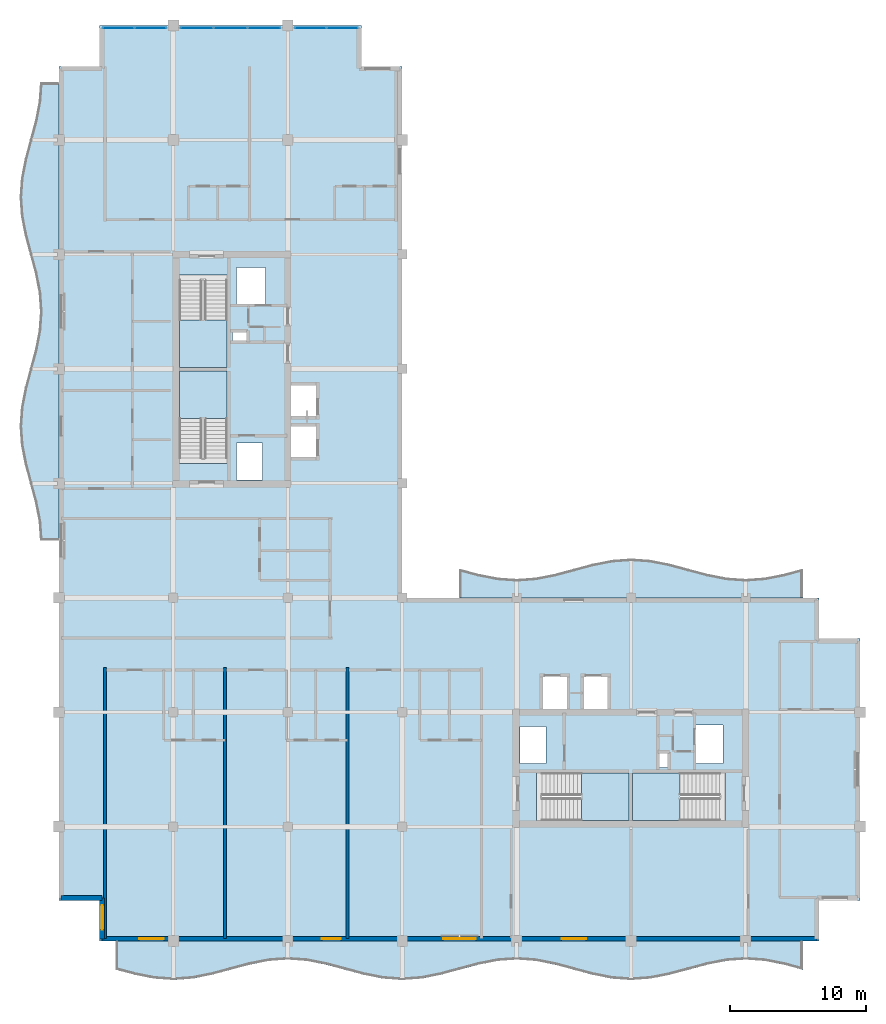
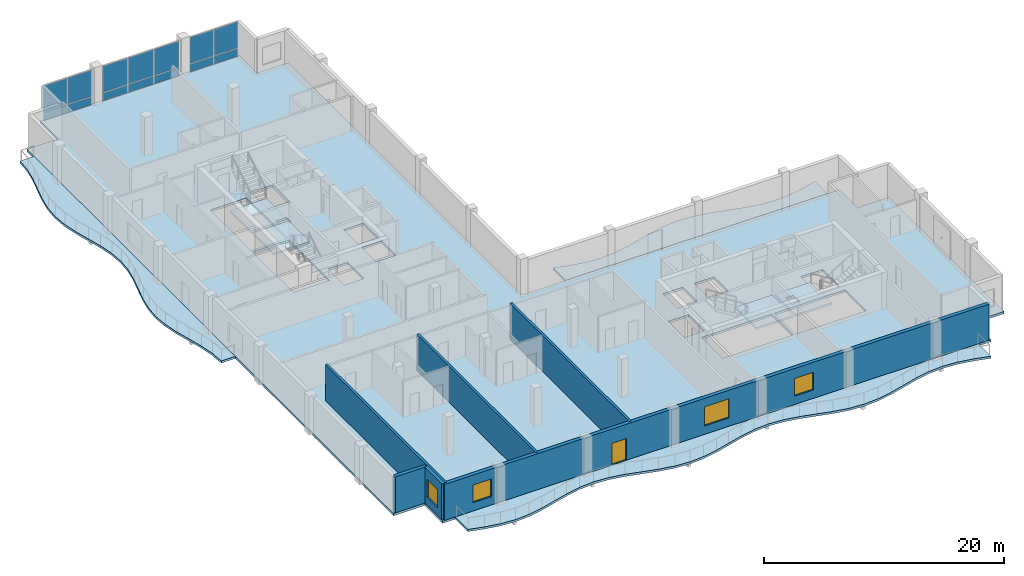
# One storey, part 5 of 15: 14 plates, 8 slabs, 6 walls, 4 windows, 1 door, 5 openings, 7 elements without a shape of their own.
"""IFC4 building model written with IfcOpenShell, lengths in metres."""

from ifc_helpers import new_model, si_unit, direction, frame, frame_2d, origin, origin_2d, place, context, subcontext, project, spatial, polyline, rectangle, outline, extrude, material, layer, layer_set, type_object, element, fill, aggregate, save


model = new_model("IFC4")

# Units and contexts
model_context = context("Model", 3, precision=1e-05, world=origin(), true_north=direction((0.0, 1.0)))
body_context = subcontext(model_context, "Body", "Model", "MODEL_VIEW")
ifc_project = project(units=[si_unit("LENGTHUNIT", "METRE"), si_unit("AREAUNIT", "SQUARE_METRE"), si_unit("VOLUMEUNIT", "CUBIC_METRE"), si_unit("PLANEANGLEUNIT", "RADIAN"), si_unit("MASSUNIT", "GRAM", prefix="KILO")], contexts=[model_context])

# Site, building, storey
site_placement = place(None, origin())
site = spatial("IfcSite", under=ifc_project, at=site_placement, CompositionType="ELEMENT")
building_placement = place(site_placement, origin())
building = spatial("IfcBuilding", under=site, at=building_placement, Name="Koriwani Terraces Tower", CompositionType="ELEMENT")
storey_placement = place(building_placement, frame((0.0, 0.0, 300.800048828125)))
storey = spatial("IfcBuildingStorey", under=building, at=storey_placement, Name="L74", CompositionType="ELEMENT", Elevation=300.800048828125)

# Curtain wall, plates
ifc_material_1 = material(Name="Anodised Bronze Aluminium", Category="aluminium")
ifc_layer_1 = layer(ifc_material_1, 0.18994140625, Name="Anodised Bronze Aluminium")
ifc_layer_set_1 = layer_set([ifc_layer_1], Name="Anodised Bronze Aluminium")
curtain_wall_type = type_object("IfcCurtainWallType", Name="CW_PENTHOUSE_ZONE5", PredefinedType="NOTDEFINED", material=ifc_layer_set_1)
curtain_wall_1_placement = place(storey_placement, origin())
curtain_wall_1 = element("IfcCurtainWall", 1, at=curtain_wall_1_placement, inside=storey, type_object=curtain_wall_type, Name="L74 Unitised Curtain Wall (N_TIP) Bay 1", PredefinedType="NOTDEFINED")
ifc_material_2 = material(Name="Tempered Laminated Low-E Glass", Category="glass")
ifc_layer_2 = layer(ifc_material_2, 0.028076171875, Name="Tempered Laminated Low-E Glass")
ifc_layer_set_2 = layer_set([ifc_layer_2], Name="Tempered Laminated Low-E Glass")
plate_type = type_object("IfcPlateType", Name="CW_PANEL_VISION_28", PredefinedType="CURTAIN_PANEL", material=ifc_layer_set_2)
plate_1_placement = place(storey_placement, frame((12.784912109375, 75.425048828125, 0.06494140625), z_axis=(0.0, 0.0, 1.0), x_axis=(1.0, 0.0, 0.0)))
plate_1 = element("IfcPlate", 2, at=plate_1_placement, type_object=plate_type, Name="CW-Z5 panel 1.1", PredefinedType="CURTAIN_PANEL", context=body_context, shape_type="SweptSolid", body=[
    extrude(rectangle(XDim=2.27001953125, YDim=0.028076171875, at=origin_2d()), origin(), (0.0, 0.0, 1.0), 0.802490234375),
])
plate_2_placement = place(storey_placement, frame((12.784912109375, 75.425048828125, 0.9326171875), z_axis=(0.0, 0.0, 1.0), x_axis=(1.0, 0.0, 0.0)))
plate_2 = element("IfcPlate", 3, at=plate_2_placement, type_object=plate_type, Name="CW-Z5 panel 1.2", PredefinedType="CURTAIN_PANEL", context=body_context, shape_type="SweptSolid", body=[
    extrude(rectangle(XDim=2.27001953125, YDim=0.028076171875, at=origin_2d()), origin(), (0.0, 0.0, 1.0), 2.672607421875),
])
plate_3_placement = place(storey_placement, frame((15.1298828125, 75.425048828125, 0.06494140625), z_axis=(0.0, 0.0, 1.0), x_axis=(1.0, 0.0, 0.0)))
plate_3 = element("IfcPlate", 4, at=plate_3_placement, type_object=plate_type, Name="CW-Z5 panel 2.1", PredefinedType="CURTAIN_PANEL", context=body_context, shape_type="SweptSolid", body=[
    extrude(rectangle(XDim=2.27001953125, YDim=0.028076171875, at=origin_2d()), origin(), (0.0, 0.0, 1.0), 0.802490234375),
])
plate_4_placement = place(storey_placement, frame((15.1298828125, 75.425048828125, 0.9326171875), z_axis=(0.0, 0.0, 1.0), x_axis=(1.0, 0.0, 0.0)))
plate_4 = element("IfcPlate", 5, at=plate_4_placement, type_object=plate_type, Name="CW-Z5 panel 2.2", PredefinedType="CURTAIN_PANEL", context=body_context, shape_type="SweptSolid", body=[
    extrude(rectangle(XDim=2.27001953125, YDim=0.028076171875, at=origin_2d()), origin(), (0.0, 0.0, 1.0), 2.672607421875),
])
aggregate(curtain_wall_1, [plate_1, plate_2, plate_3, plate_4])

curtain_wall_2_placement = place(storey_placement, origin())
curtain_wall_2 = element("IfcCurtainWall", 6, at=curtain_wall_2_placement, inside=storey, type_object=curtain_wall_type, Name="L74 Unitised Curtain Wall (N_TIP) Bay 2", PredefinedType="NOTDEFINED")
plate_5_placement = place(storey_placement, frame((18.525390625, 75.425048828125, 0.06494140625), z_axis=(0.0, 0.0, 1.0), x_axis=(1.0, 0.0, 0.0)))
plate_5 = element("IfcPlate", 7, at=plate_5_placement, type_object=plate_type, Name="CW-Z5 panel 1.1", PredefinedType="CURTAIN_PANEL", context=body_context, shape_type="SweptSolid", body=[
    extrude(rectangle(XDim=2.380859375, YDim=0.028076171875, at=origin_2d()), origin(), (0.0, 0.0, 1.0), 0.802490234375),
])
plate_6_placement = place(storey_placement, frame((18.525390625, 75.425048828125, 0.9326171875), z_axis=(0.0, 0.0, 1.0), x_axis=(1.0, 0.0, 0.0)))
plate_6 = element("IfcPlate", 8, at=plate_6_placement, type_object=plate_type, Name="CW-Z5 panel 1.2", PredefinedType="CURTAIN_PANEL", context=body_context, shape_type="SweptSolid", body=[
    extrude(rectangle(XDim=2.380859375, YDim=0.028076171875, at=origin_2d()), origin(), (0.0, 0.0, 1.0), 2.672607421875),
])
plate_7_placement = place(storey_placement, frame((21.0, 75.425048828125, 0.06494140625), z_axis=(0.0, 0.0, 1.0), x_axis=(1.0, 0.0, 0.0)))
plate_7 = element("IfcPlate", 9, at=plate_7_placement, type_object=plate_type, Name="CW-Z5 panel 2.1", PredefinedType="CURTAIN_PANEL", context=body_context, shape_type="SweptSolid", body=[
    extrude(rectangle(XDim=2.418212890625, YDim=0.028076171875, at=origin_2d()), origin(), (0.0, 0.0, 1.0), 0.802490234375),
])
plate_8_placement = place(storey_placement, frame((21.0, 75.425048828125, 0.9326171875), z_axis=(0.0, 0.0, 1.0), x_axis=(1.0, 0.0, 0.0)))
plate_8 = element("IfcPlate", 10, at=plate_8_placement, type_object=plate_type, Name="CW-Z5 panel 2.2", PredefinedType="CURTAIN_PANEL", context=body_context, shape_type="SweptSolid", body=[
    extrude(rectangle(XDim=2.418212890625, YDim=0.028076171875, at=origin_2d()), origin(), (0.0, 0.0, 1.0), 2.672607421875),
])
plate_9_placement = place(storey_placement, frame((23.474609375, 75.425048828125, 0.06494140625), z_axis=(0.0, 0.0, 1.0), x_axis=(1.0, 0.0, 0.0)))
plate_9 = element("IfcPlate", 11, at=plate_9_placement, type_object=plate_type, Name="CW-Z5 panel 3.1", PredefinedType="CURTAIN_PANEL", context=body_context, shape_type="SweptSolid", body=[
    extrude(rectangle(XDim=2.380859375, YDim=0.028076171875, at=origin_2d()), origin(), (0.0, 0.0, 1.0), 0.802490234375),
])
plate_10_placement = place(storey_placement, frame((23.474609375, 75.425048828125, 0.9326171875), z_axis=(0.0, 0.0, 1.0), x_axis=(1.0, 0.0, 0.0)))
plate_10 = element("IfcPlate", 12, at=plate_10_placement, type_object=plate_type, Name="CW-Z5 panel 3.2", PredefinedType="CURTAIN_PANEL", context=body_context, shape_type="SweptSolid", body=[
    extrude(rectangle(XDim=2.380859375, YDim=0.028076171875, at=origin_2d()), origin(), (0.0, 0.0, 1.0), 2.672607421875),
])
aggregate(curtain_wall_2, [plate_5, plate_6, plate_7, plate_8, plate_9, plate_10])

curtain_wall_3_placement = place(storey_placement, origin())
curtain_wall_3 = element("IfcCurtainWall", 13, at=curtain_wall_3_placement, inside=storey, type_object=curtain_wall_type, Name="L74 Unitised Curtain Wall (N_TIP) Bay 3", PredefinedType="NOTDEFINED")
plate_11_placement = place(storey_placement, frame((26.8701171875, 75.425048828125, 0.06494140625), z_axis=(0.0, 0.0, 1.0), x_axis=(1.0, 0.0, 0.0)))
plate_11 = element("IfcPlate", 14, at=plate_11_placement, type_object=plate_type, Name="CW-Z5 panel 1.1", PredefinedType="CURTAIN_PANEL", context=body_context, shape_type="SweptSolid", body=[
    extrude(rectangle(XDim=2.27001953125, YDim=0.028076171875, at=origin_2d()), origin(), (0.0, 0.0, 1.0), 0.802490234375),
])
plate_12_placement = place(storey_placement, frame((26.8701171875, 75.425048828125, 0.9326171875), z_axis=(0.0, 0.0, 1.0), x_axis=(1.0, 0.0, 0.0)))
plate_12 = element("IfcPlate", 15, at=plate_12_placement, type_object=plate_type, Name="CW-Z5 panel 1.2", PredefinedType="CURTAIN_PANEL", context=body_context, shape_type="SweptSolid", body=[
    extrude(rectangle(XDim=2.27001953125, YDim=0.028076171875, at=origin_2d()), origin(), (0.0, 0.0, 1.0), 2.672607421875),
])
plate_13_placement = place(storey_placement, frame((29.215087890625, 75.425048828125, 0.06494140625), z_axis=(0.0, 0.0, 1.0), x_axis=(1.0, 0.0, 0.0)))
plate_13 = element("IfcPlate", 16, at=plate_13_placement, type_object=plate_type, Name="CW-Z5 panel 2.1", PredefinedType="CURTAIN_PANEL", context=body_context, shape_type="SweptSolid", body=[
    extrude(rectangle(XDim=2.27001953125, YDim=0.028076171875, at=origin_2d()), origin(), (0.0, 0.0, 1.0), 0.802490234375),
])
plate_14_placement = place(storey_placement, frame((29.215087890625, 75.425048828125, 0.9326171875), z_axis=(0.0, 0.0, 1.0), x_axis=(1.0, 0.0, 0.0)))
plate_14 = element("IfcPlate", 17, at=plate_14_placement, type_object=plate_type, Name="CW-Z5 panel 2.2", PredefinedType="CURTAIN_PANEL", context=body_context, shape_type="SweptSolid", body=[
    extrude(rectangle(XDim=2.27001953125, YDim=0.028076171875, at=origin_2d()), origin(), (0.0, 0.0, 1.0), 2.672607421875),
])
aggregate(curtain_wall_3, [plate_11, plate_12, plate_13, plate_14])

# Slabs
ifc_material_3 = material(Name="Concrete C40/50", Category="concrete")
ifc_layer_3 = layer(ifc_material_3, 0.219970703125, Name="Concrete C40/50")
ifc_layer_set_3 = layer_set([ifc_layer_3], Name="Concrete C40/50")
slab_type_1 = type_object("IfcSlabType", Name="SLAB_BALCONY_220", PredefinedType="FLOOR", material=ifc_layer_set_3)
slab_1_placement = place(storey_placement, frame((0.0, 0.0, -0.219970703125)))
element("IfcSlab", 18, at=slab_1_placement, inside=storey, type_object=slab_type_1, Name="L74 Quilted Circular-Arc Balcony (S)", PredefinedType="FLOOR", context=body_context, shape_type="SweptSolid", body=[
    extrude(outline(polyline([(12.60009765625, 8.39990234375), (14.0, 8.39990234375), (15.39990234375, 8.39990234375), (16.800048828125, 8.39990234375), (18.199951171875, 8.39990234375), (19.60009765625, 8.39990234375), (21.0, 8.39990234375), (22.39990234375, 8.39990234375), (23.800048828125, 8.39990234375), (25.199951171875, 8.39990234375), (26.60009765625, 8.39990234375), (28.0, 8.39990234375), (29.39990234375, 8.39990234375), (30.800048828125, 8.39990234375), (32.199951171875, 8.39990234375), (33.60009765625, 8.39990234375), (35.0, 8.39990234375), (36.39990234375, 8.39990234375), (37.800048828125, 8.39990234375), (39.199951171875, 8.39990234375), (40.60009765625, 8.39990234375), (42.0, 8.39990234375), (43.39990234375, 8.39990234375), (44.800048828125, 8.39990234375), (46.199951171875, 8.39990234375), (47.60009765625, 8.39990234375), (49.0, 8.39990234375), (50.39990234375, 8.39990234375), (51.800048828125, 8.39990234375), (53.199951171875, 8.39990234375), (54.60009765625, 8.39990234375), (56.0, 8.39990234375), (57.39990234375, 8.39990234375), (58.800048828125, 8.39990234375), (60.199951171875, 8.39990234375), (61.60009765625, 8.39990234375), (63.0, 8.39990234375), (63.0, 6.300048828125), (61.60009765625, 6.675048828125), (60.199951171875, 6.949462890625), (58.800048828125, 7.050048828125), (57.39990234375, 6.949462890625), (56.0, 6.675048828125), (54.60009765625, 6.300048828125), (53.199951171875, 5.925048828125), (51.800048828125, 5.650390625), (50.39990234375, 5.550048828125), (49.0, 5.650390625), (47.60009765625, 5.925048828125), (46.199951171875, 6.300048828125), (44.800048828125, 6.675048828125), (43.39990234375, 6.949462890625), (42.0, 7.050048828125), (40.60009765625, 6.949462890625), (39.199951171875, 6.675048828125), (37.800048828125, 6.300048828125), (36.39990234375, 5.925048828125), (35.0, 5.650390625), (33.60009765625, 5.550048828125), (32.199951171875, 5.650390625), (30.800048828125, 5.925048828125), (29.39990234375, 6.300048828125), (28.0, 6.675048828125), (26.60009765625, 6.949462890625), (25.199951171875, 7.050048828125), (23.800048828125, 6.949462890625), (22.39990234375, 6.675048828125), (21.0, 6.300048828125), (19.60009765625, 5.925048828125), (18.199951171875, 5.650390625), (16.800048828125, 5.550048828125), (15.39990234375, 5.650390625), (14.0, 5.925048828125), (12.60009765625, 6.300048828125), (12.60009765625, 8.39990234375)])), origin(), (0.0, 0.0, 1.0), 0.219970703125),
])
slab_2_placement = place(storey_placement, frame((0.0, 0.0, -0.219970703125)))
element("IfcSlab", 19, at=slab_2_placement, inside=storey, type_object=slab_type_1, Name="L74 Quilted Circular-Arc Balcony (W)", PredefinedType="FLOOR", context=body_context, shape_type="SweptSolid", body=[
    extrude(outline(polyline([(8.39990234375, 37.800048828125), (8.39990234375, 39.199951171875), (8.39990234375, 40.60009765625), (8.39990234375, 42.0), (8.39990234375, 43.39990234375), (8.39990234375, 44.800048828125), (8.39990234375, 46.199951171875), (8.39990234375, 47.60009765625), (8.39990234375, 49.0), (8.39990234375, 50.39990234375), (8.39990234375, 51.800048828125), (8.39990234375, 53.199951171875), (8.39990234375, 54.60009765625), (8.39990234375, 56.0), (8.39990234375, 57.39990234375), (8.39990234375, 58.800048828125), (8.39990234375, 60.199951171875), (8.39990234375, 61.60009765625), (8.39990234375, 63.0), (8.39990234375, 64.39990234375), (8.39990234375, 65.800048828125), (8.39990234375, 67.199951171875), (8.39990234375, 68.60009765625), (8.39990234375, 70.0), (8.39990234375, 71.39990234375), (7.050048828125, 71.39990234375), (6.949462890625, 70.0), (6.675048828125, 68.60009765625), (6.300048828125, 67.199951171875), (5.925048828125, 65.800048828125), (5.650390625, 64.39990234375), (5.550048828125, 63.0), (5.650390625, 61.60009765625), (5.925048828125, 60.199951171875), (6.300048828125, 58.800048828125), (6.675048828125, 57.39990234375), (6.949462890625, 56.0), (7.050048828125, 54.60009765625), (6.949462890625, 53.199951171875), (6.675048828125, 51.800048828125), (6.300048828125, 50.39990234375), (5.925048828125, 49.0), (5.650390625, 47.60009765625), (5.550048828125, 46.199951171875), (5.650390625, 44.800048828125), (5.925048828125, 43.39990234375), (6.300048828125, 42.0), (6.675048828125, 40.60009765625), (6.949462890625, 39.199951171875), (7.050048828125, 37.800048828125), (8.39990234375, 37.800048828125)])), origin(), (0.0, 0.0, 1.0), 0.219970703125),
])
slab_3_placement = place(storey_placement, frame((0.0, 0.0, -0.219970703125)))
element("IfcSlab", 20, at=slab_3_placement, inside=storey, type_object=slab_type_1, Name="L74 Quilted Circular-Arc Balcony (NE)", PredefinedType="FLOOR", context=body_context, shape_type="SweptSolid", body=[
    extrude(outline(polyline([(63.0, 33.60009765625), (61.60009765625, 33.60009765625), (60.199951171875, 33.60009765625), (58.800048828125, 33.60009765625), (57.39990234375, 33.60009765625), (56.0, 33.60009765625), (54.60009765625, 33.60009765625), (53.199951171875, 33.60009765625), (51.800048828125, 33.60009765625), (50.39990234375, 33.60009765625), (49.0, 33.60009765625), (47.60009765625, 33.60009765625), (46.199951171875, 33.60009765625), (44.800048828125, 33.60009765625), (43.39990234375, 33.60009765625), (42.0, 33.60009765625), (40.60009765625, 33.60009765625), (39.199951171875, 33.60009765625), (37.800048828125, 33.60009765625), (37.800048828125, 35.699951171875), (39.199951171875, 35.324951171875), (40.60009765625, 35.050537109375), (42.0, 34.949951171875), (43.39990234375, 35.050537109375), (44.800048828125, 35.324951171875), (46.199951171875, 35.699951171875), (47.60009765625, 36.074951171875), (49.0, 36.349609375), (50.39990234375, 36.449951171875), (51.800048828125, 36.349609375), (53.199951171875, 36.074951171875), (54.60009765625, 35.699951171875), (56.0, 35.324951171875), (57.39990234375, 35.050537109375), (58.800048828125, 34.949951171875), (60.199951171875, 35.050537109375), (61.60009765625, 35.324951171875), (63.0, 35.699951171875), (63.0, 33.60009765625)])), origin(), (0.0, 0.0, 1.0), 0.219970703125),
])
ifc_layer_4 = layer(ifc_material_3, 0.22998046875, Name="Concrete C40/50")
ifc_layer_set_4 = layer_set([ifc_layer_4], Name="Concrete C40/50")
slab_type_2 = type_object("IfcSlabType", Name="SLAB_RES_TYP_230", PredefinedType="FLOOR", material=ifc_layer_set_4)
slab_4_placement = place(storey_placement, frame((0.0, 0.0, -0.22998046875)))
element("IfcSlab", 21, at=slab_4_placement, inside=storey, type_object=slab_type_2, Name="L74 Structural Floor Slab", PredefinedType="FLOOR", context=body_context, shape_type="SweptSolid", body=[
    extrude(outline(polyline([(11.39990234375, 8.39990234375), (64.199951171875, 8.39990234375), (64.199951171875, 11.39990234375), (67.199951171875, 11.39990234375), (67.199951171875, 30.60009765625), (64.199951171875, 30.60009765625), (64.199951171875, 33.60009765625), (33.60009765625, 33.60009765625), (33.60009765625, 72.60009765625), (30.60009765625, 72.60009765625), (30.60009765625, 75.60009765625), (11.39990234375, 75.60009765625), (11.39990234375, 72.60009765625), (8.39990234375, 72.60009765625), (8.39990234375, 11.39990234375), (11.39990234375, 11.39990234375), (11.39990234375, 8.39990234375)]), holes=[polyline([(17.25, 43.4599609375), (20.75, 43.4599609375), (20.75, 50.25), (17.25, 50.25), (17.25, 43.4599609375)]), polyline([(17.25, 50.5), (20.75, 50.5), (20.75, 57.2900390625), (17.25, 57.2900390625), (17.25, 50.5)]), polyline([(43.4599609375, 17.25), (50.25, 17.25), (50.25, 20.75), (43.4599609375, 20.75), (43.4599609375, 17.25)]), polyline([(50.5, 17.25), (57.2900390625, 17.25), (57.2900390625, 20.75), (50.5, 20.75), (50.5, 17.25)]), polyline([(25.449951171875, 43.85009765625), (27.35009765625, 43.85009765625), (27.35009765625, 46.25), (25.449951171875, 46.25), (25.449951171875, 43.85009765625)]), polyline([(25.449951171875, 46.85009765625), (27.35009765625, 46.85009765625), (27.35009765625, 49.25), (25.449951171875, 49.25), (25.449951171875, 46.85009765625)]), polyline([(43.85009765625, 25.449951171875), (45.75, 25.449951171875), (45.75, 27.85009765625), (43.85009765625, 27.85009765625), (43.85009765625, 25.449951171875)]), polyline([(46.85009765625, 25.449951171875), (48.75, 25.449951171875), (48.75, 27.85009765625), (46.85009765625, 27.85009765625), (46.85009765625, 25.449951171875)]), polyline([(21.449951171875, 55.050048828125), (23.550048828125, 55.050048828125), (23.550048828125, 57.85009765625), (21.449951171875, 57.85009765625), (21.449951171875, 55.050048828125)]), polyline([(55.050048828125, 21.449951171875), (57.14990234375, 21.449951171875), (57.14990234375, 24.25), (55.050048828125, 24.25), (55.050048828125, 21.449951171875)]), polyline([(21.449951171875, 42.25), (23.35009765625, 42.25), (23.35009765625, 44.949951171875), (21.449951171875, 44.949951171875), (21.449951171875, 42.25)]), polyline([(42.25, 21.449951171875), (44.14990234375, 21.449951171875), (44.14990234375, 24.14990234375), (42.25, 24.14990234375), (42.25, 21.449951171875)]), polyline([(21.14990234375, 52.419921875), (22.219970703125, 52.419921875), (22.219970703125, 53.179931640625), (21.14990234375, 53.179931640625), (21.14990234375, 52.419921875)]), polyline([(52.419921875, 21.14990234375), (53.179931640625, 21.14990234375), (53.179931640625, 22.219970703125), (52.419921875, 22.219970703125), (52.419921875, 21.14990234375)])]), origin(), (0.0, 0.0, 1.0), 0.22998046875),
])

# Stair, slab
stair_type = type_object("IfcStairType", Name="STAIR_CORE_DOGLEG_1650", PredefinedType="TWO_STRAIGHT_RUN_STAIR", material=ifc_material_3)
stair_1_placement = place(storey_placement, origin())
stair_1 = element("IfcStair", 22, at=stair_1_placement, inside=storey, type_object=stair_type, Name="L74 West Core Exit Stair 1", PredefinedType="HALF_TURN_STAIR")
ifc_layer_5 = layer(ifc_material_3, 0.199951171875, Name="Concrete C40/50")
ifc_layer_set_5 = layer_set([ifc_layer_5], Name="Concrete C40/50")
slab_type_3 = type_object("IfcSlabType", Name="SLAB_STAIR_LANDING_200", PredefinedType="LANDING", material=ifc_layer_set_5)
slab_5_placement = place(storey_placement, frame((0.0, 0.0, 1.75)))
slab_5 = element("IfcSlab", 23, at=slab_5_placement, type_object=slab_type_3, Name="ST-W1 landing 1", PredefinedType="LANDING", context=body_context, shape_type="SweptSolid", body=[
    extrude(outline(polyline([(20.75, 46.75), (20.75, 50.25), (17.25, 50.25), (17.25, 46.75), (20.75, 46.75)])), origin(), (0.0, 0.0, 1.0), 0.199951171875),
])
aggregate(stair_1, [slab_5])

stair_2_placement = place(storey_placement, origin())
stair_2 = element("IfcStair", 24, at=stair_2_placement, inside=storey, type_object=stair_type, Name="L74 West Core Exit Stair 2", PredefinedType="HALF_TURN_STAIR")
slab_6_placement = place(storey_placement, frame((0.0, 0.0, 1.75)))
slab_6 = element("IfcSlab", 25, at=slab_6_placement, type_object=slab_type_3, Name="ST-W2 landing 1", PredefinedType="LANDING", context=body_context, shape_type="SweptSolid", body=[
    extrude(outline(polyline([(17.25, 54.0), (17.25, 50.5), (20.75, 50.5), (20.75, 54.0), (17.25, 54.0)])), origin(), (0.0, 0.0, 1.0), 0.199951171875),
])
aggregate(stair_2, [slab_6])

stair_3_placement = place(storey_placement, origin())
stair_3 = element("IfcStair", 26, at=stair_3_placement, inside=storey, type_object=stair_type, Name="L74 East Core Exit Stair 1", PredefinedType="HALF_TURN_STAIR")
slab_7_placement = place(storey_placement, frame((0.0, 0.0, 1.75)))
slab_7 = element("IfcSlab", 27, at=slab_7_placement, type_object=slab_type_3, Name="ST-E1 landing 1", PredefinedType="LANDING", context=body_context, shape_type="SweptSolid", body=[
    extrude(outline(polyline([(46.75, 17.25), (50.25, 17.25), (50.25, 20.75), (46.75, 20.75), (46.75, 17.25)])), origin(), (0.0, 0.0, 1.0), 0.199951171875),
])
aggregate(stair_3, [slab_7])

stair_4_placement = place(storey_placement, origin())
stair_4 = element("IfcStair", 28, at=stair_4_placement, inside=storey, type_object=stair_type, Name="L74 East Core Exit Stair 2", PredefinedType="HALF_TURN_STAIR")
slab_8_placement = place(storey_placement, frame((0.0, 0.0, 1.75)))
slab_8 = element("IfcSlab", 29, at=slab_8_placement, type_object=slab_type_3, Name="ST-E2 landing 1", PredefinedType="LANDING", context=body_context, shape_type="SweptSolid", body=[
    extrude(outline(polyline([(54.0, 20.75), (50.5, 20.75), (50.5, 17.25), (54.0, 17.25), (54.0, 20.75)])), origin(), (0.0, 0.0, 1.0), 0.199951171875),
])
aggregate(stair_4, [slab_8])

# Walls
ifc_material_4 = material(Name="Autoclaved Cellular Concrete Blockwork", Category="masonry")
ifc_layer_6 = layer(ifc_material_4, 0.219970703125, Name="Autoclaved Cellular Concrete Blockwork")
ifc_layer_set_6 = layer_set([ifc_layer_6], Name="Autoclaved Cellular Concrete Blockwork")
wall_type_1 = type_object("IfcWallType", Name="WALL_DEMISING_220", PredefinedType="PARTITIONING", material=ifc_layer_set_6)
for number, where, z_axis, x_axis, name in (
    (30, (11.800048828125, 8.60009765625, 0.0), (0.0, 0.0, 1.0), (0.0, 1.0, 0.0), "L74 Interior Wall WRDEM-L74-SW-0"),
    (31, (20.60009765625, 8.60009765625, 0.0), (0.0, 0.0, 1.0), (0.0, 1.0, 0.0), "L74 Interior Wall WRDEM-L74-SW-1"),
    (32, (29.60009765625, 8.60009765625, 0.0), (0.0, 0.0, 1.0), (0.0, 1.0, 0.0), "L74 Interior Wall WRDEM-L74-SW-2"),
):
    element("IfcWall", number, at=place(storey_placement, frame(where, z_axis=z_axis, x_axis=x_axis)), inside=storey, type_object=wall_type_1, Name=name, PredefinedType="PARTITIONING", context=body_context, shape_type="SweptSolid", body=[
        extrude(rectangle(XDim=19.8798828125, YDim=0.219970703125, at=frame_2d((9.93994140625, 0.0))), origin(), (0.0, 0.0, 1.0), 3.669921875),
    ])

# Wall, opening, window
ifc_material_5 = material(Name="Concrete C50/60", Category="concrete")
ifc_layer_7 = layer(ifc_material_5, 0.35009765625, Name="Concrete C50/60")
ifc_layer_set_7 = layer_set([ifc_layer_7], Name="Concrete C50/60")
wall_type_2 = type_object("IfcWallType", Name="WALL_EXT_BRUTALIST_350", PredefinedType="STANDARD", material=ifc_layer_set_7)
wall_1_placement = place(storey_placement, frame((11.574951171875, 8.574951171875, 0.0), z_axis=(0.0, 0.0, 1.0), x_axis=(0.0, 1.0, 0.0)))
wall_1 = element("IfcWall", 33, at=wall_1_placement, inside=storey, type_object=wall_type_2, Name="L74 Fair-Faced Brutalist Exterior Wall (N0)", PredefinedType="STANDARD", context=body_context, shape_type="SweptSolid", body=[
    extrude(rectangle(XDim=3.0, YDim=0.35009765625, at=frame_2d((1.5, 0.0))), origin(), (0.0, 0.0, 1.0), 3.669921875),
])
opening_1_placement = place(wall_1_placement, frame((0.677490234375, 0.0, 0.85009765625)))
opening_1 = element("IfcOpeningElement", 34, at=opening_1_placement, cuts=wall_1, Name="Opening W-04", PredefinedType="OPENING", context=body_context, shape_type="SweptSolid", body=[
    extrude(rectangle(XDim=1.800048828125, YDim=1.800048828125, at=frame_2d((0.89990234375, 0.89990234375))), frame((0.0, 0.18505859375, 0.0), z_axis=(0.0, -1.0, 0.0), x_axis=(1.0, 0.0, 0.0)), (0.0, 0.0, 1.0), 0.3701171875),
])
window_type_1 = type_object("IfcWindowType", Name="WIN_RES_BED_1800X1800", PartitioningType="DOUBLE_PANEL_VERTICAL", PredefinedType="WINDOW", material=ifc_material_2)
window_1_placement = place(opening_1_placement, origin())
window_1 = element("IfcWindow", 35, at=window_1_placement, inside=storey, type_object=window_type_1, Name="L74 Exterior Window (N0-R32)", OverallHeight=1.800048828125, OverallWidth=1.800048828125, PartitioningType="SINGLE_PANEL", PredefinedType="WINDOW", context=body_context, shape_type="SweptSolid", body=[
    extrude(rectangle(XDim=1.800048828125, YDim=1.800048828125, at=frame_2d((0.89990234375, 0.89990234375))), frame((0.0, 0.030029296875, 0.0), z_axis=(0.0, -1.0, 0.0), x_axis=(1.0, 0.0, 0.0)), (0.0, 0.0, 1.0), 0.06005859375),
])
fill(opening_1, window_1)

# Wall
wall_2_placement = place(storey_placement, frame((11.574951171875, 11.574951171875, 0.0), z_axis=(0.0, 0.0, 1.0), x_axis=(-1.0, 0.0, 0.0)))
element("IfcWall", 36, at=wall_2_placement, inside=storey, type_object=wall_type_2, Name="L74 Fair-Faced Brutalist Exterior Wall (N1)", PredefinedType="STANDARD", context=body_context, shape_type="SweptSolid", body=[
    extrude(rectangle(XDim=3.0, YDim=0.35009765625, at=frame_2d((1.5, 0.0))), origin(), (0.0, 0.0, 1.0), 3.669921875),
])

# Wall, openings, door, windows
wall_3_placement = place(storey_placement, frame((64.02490234375, 8.574951171875, 0.0), z_axis=(0.0, 0.0, 1.0), x_axis=(-1.0, 0.0, 0.0)))
wall_3 = element("IfcWall", 37, at=wall_3_placement, inside=storey, type_object=wall_type_2, Name="L74 Fair-Faced Brutalist Exterior Wall (S)", PredefinedType="STANDARD", context=body_context, shape_type="SweptSolid", body=[
    extrude(rectangle(XDim=52.449951171875, YDim=0.35009765625, at=frame_2d((26.22509765625, 0.0))), origin(), (0.0, 0.0, 1.0), 3.669921875),
])
opening_2_placement = place(wall_3_placement, frame((34.925048828125, 0.0, 0.0)))
opening_2 = element("IfcOpeningElement", 38, at=opening_2_placement, cuts=wall_3, Name="Opening D-09", PredefinedType="OPENING", context=body_context, shape_type="SweptSolid", body=[
    extrude(rectangle(XDim=1.39990234375, YDim=2.199951171875, at=frame_2d((0.699951171875, 1.10009765625))), frame((0.0, 0.18505859375, 0.0), z_axis=(0.0, -1.0, 0.0), x_axis=(1.0, 0.0, 0.0)), (0.0, 0.0, 1.0), 0.3701171875),
])
opening_3_placement = place(wall_3_placement, frame((25.02490234375, 0.0, 0.85009765625)))
opening_3 = element("IfcOpeningElement", 39, at=opening_3_placement, cuts=wall_3, Name="Opening W-03", PredefinedType="OPENING", context=body_context, shape_type="SweptSolid", body=[
    extrude(rectangle(XDim=2.39990234375, YDim=1.949951171875, at=frame_2d((1.199951171875, 0.97509765625))), frame((0.0, 0.18505859375, 0.0), z_axis=(0.0, -1.0, 0.0), x_axis=(1.0, 0.0, 0.0)), (0.0, 0.0, 1.0), 0.3701171875),
])
opening_4_placement = place(wall_3_placement, frame((16.925048828125, 0.0, 0.85009765625)))
opening_4 = element("IfcOpeningElement", 40, at=opening_4_placement, cuts=wall_3, Name="Opening W-04", PredefinedType="OPENING", context=body_context, shape_type="SweptSolid", body=[
    extrude(rectangle(XDim=1.800048828125, YDim=1.800048828125, at=frame_2d((0.89990234375, 0.89990234375))), frame((0.0, 0.18505859375, 0.0), z_axis=(0.0, -1.0, 0.0), x_axis=(1.0, 0.0, 0.0)), (0.0, 0.0, 1.0), 0.3701171875),
])
opening_5_placement = place(wall_3_placement, frame((47.925048828125, 0.0, 0.85009765625)))
opening_5 = element("IfcOpeningElement", 41, at=opening_5_placement, cuts=wall_3, Name="Opening W-04", PredefinedType="OPENING", context=body_context, shape_type="SweptSolid", body=[
    extrude(rectangle(XDim=1.800048828125, YDim=1.800048828125, at=frame_2d((0.89990234375, 0.89990234375))), frame((0.0, 0.18505859375, 0.0), z_axis=(0.0, -1.0, 0.0), x_axis=(1.0, 0.0, 0.0)), (0.0, 0.0, 1.0), 0.3701171875),
])
door_type = type_object("IfcDoorType", Name="DOOR_BALCONY_GLAZED_1400X2200", OperationType="NOTDEFINED", PredefinedType="DOOR", material=ifc_material_1)
door_placement = place(opening_2_placement, origin())
door = element("IfcDoor", 42, at=door_placement, inside=storey, type_object=door_type, Name="L74 South Balcony Glazed Door", OperationType="SINGLE_SWING_LEFT", OverallHeight=2.199951171875, OverallWidth=1.39990234375, PredefinedType="DOOR", context=body_context, shape_type="SweptSolid", body=[
    extrude(rectangle(XDim=1.39990234375, YDim=2.199951171875, at=frame_2d((0.699951171875, 1.10009765625))), frame((0.0, 0.02490234375, 0.0), z_axis=(0.0, -1.0, 0.0), x_axis=(1.0, 0.0, 0.0)), (0.0, 0.0, 1.0), 0.050048828125),
])
fill(opening_2, door)
window_2_placement = place(opening_4_placement, origin())
window_2 = element("IfcWindow", 43, at=window_2_placement, inside=storey, type_object=window_type_1, Name="L74 Exterior Window (S-12)", OverallHeight=1.800048828125, OverallWidth=1.800048828125, PartitioningType="SINGLE_PANEL", PredefinedType="WINDOW", context=body_context, shape_type="SweptSolid", body=[
    extrude(rectangle(XDim=1.800048828125, YDim=1.800048828125, at=frame_2d((0.89990234375, 0.89990234375))), frame((0.0, 0.030029296875, 0.0), z_axis=(0.0, -1.0, 0.0), x_axis=(1.0, 0.0, 0.0)), (0.0, 0.0, 1.0), 0.06005859375),
])
fill(opening_4, window_2)
window_3_placement = place(opening_5_placement, origin())
window_3 = element("IfcWindow", 44, at=window_3_placement, inside=storey, type_object=window_type_1, Name="L74 Exterior Window (S-R32)", OverallHeight=1.800048828125, OverallWidth=1.800048828125, PartitioningType="SINGLE_PANEL", PredefinedType="WINDOW", context=body_context, shape_type="SweptSolid", body=[
    extrude(rectangle(XDim=1.800048828125, YDim=1.800048828125, at=frame_2d((0.89990234375, 0.89990234375))), frame((0.0, 0.030029296875, 0.0), z_axis=(0.0, -1.0, 0.0), x_axis=(1.0, 0.0, 0.0)), (0.0, 0.0, 1.0), 0.06005859375),
])
fill(opening_5, window_3)
window_type_2 = type_object("IfcWindowType", Name="WIN_RES_LIVING_2400X1950", PartitioningType="DOUBLE_PANEL_VERTICAL", PredefinedType="WINDOW", material=ifc_material_2)
window_4_placement = place(opening_3_placement, origin())
window_4 = element("IfcWindow", 45, at=window_4_placement, inside=storey, type_object=window_type_2, Name="L74 Exterior Window (S-9)", OverallHeight=1.949951171875, OverallWidth=2.39990234375, PartitioningType="SINGLE_PANEL", PredefinedType="WINDOW", context=body_context, shape_type="SweptSolid", body=[
    extrude(rectangle(XDim=2.39990234375, YDim=1.949951171875, at=frame_2d((1.199951171875, 0.97509765625))), frame((0.0, 0.030029296875, 0.0), z_axis=(0.0, -1.0, 0.0), x_axis=(1.0, 0.0, 0.0)), (0.0, 0.0, 1.0), 0.06005859375),
])
fill(opening_3, window_4)

save(model, "model.ifc")
